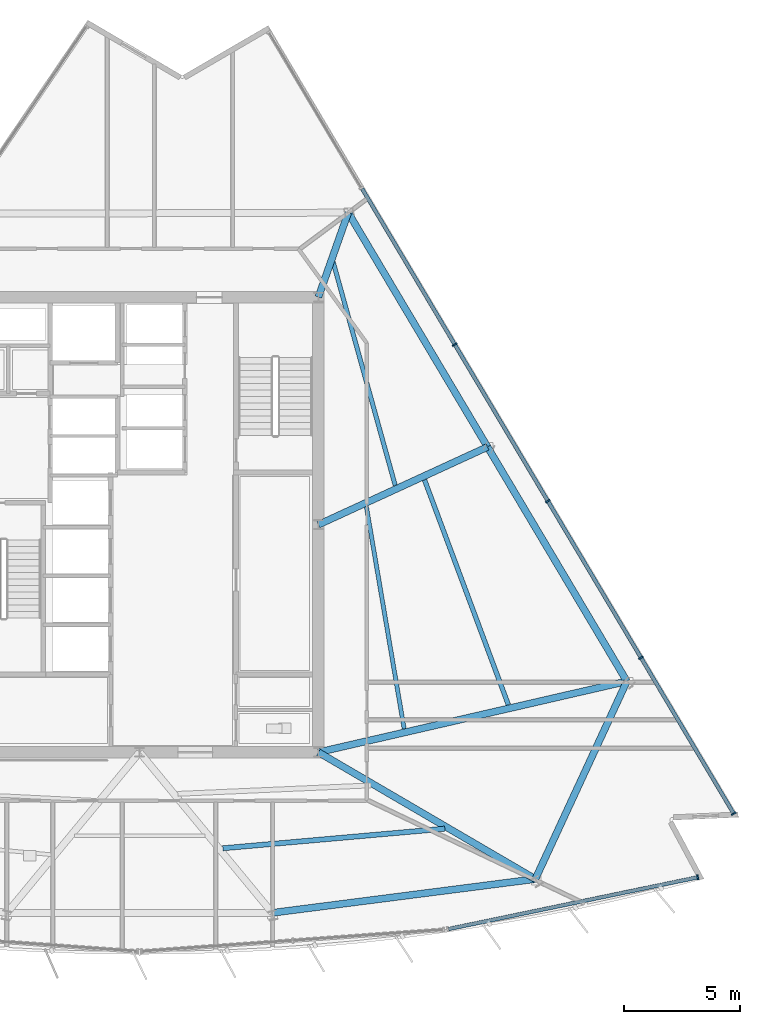
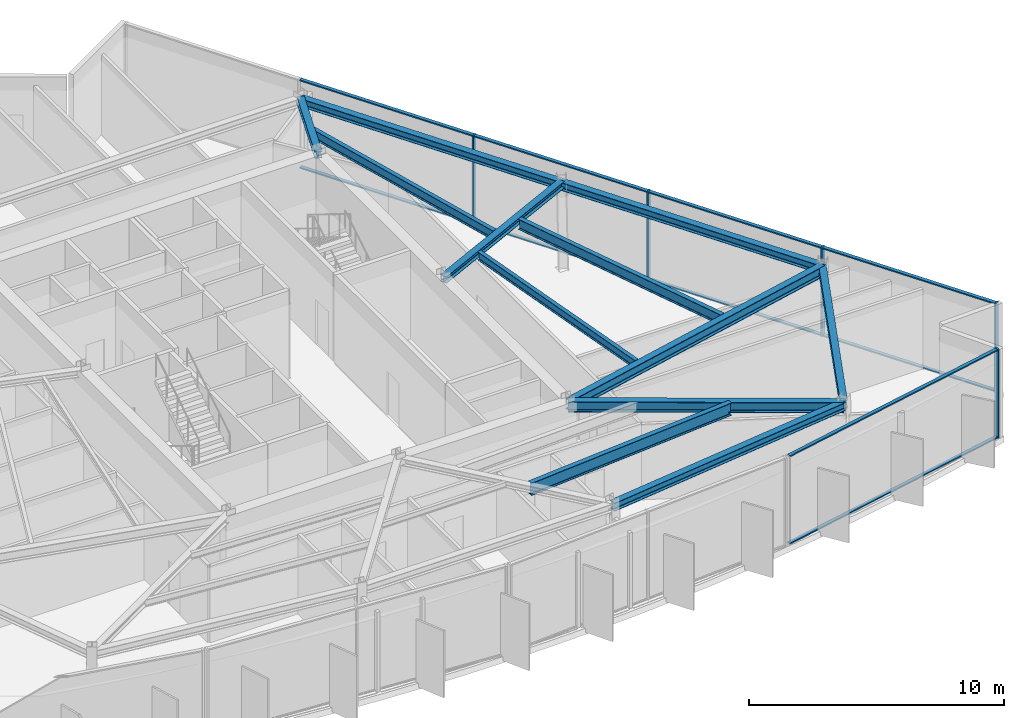
# One storey, part 4 of 13: 15 members, 12 beams, 2 elements without a shape of their own.
"""IFC4 building model written with IfcOpenShell, lengths in metres."""

from ifc_helpers import new_model, si_unit, direction, frame, origin, origin_2d, place, context, subcontext, project, spatial, rectangle, i_section, extrude, material, material_profile, profile_set, type_object, element, aggregate, save


model = new_model("IFC4")

# Units and contexts
model_context = context("Model", 3, precision=1e-05, world=origin(), true_north=direction((0.0, 1.0)))
body_context = subcontext(model_context, "Body", "Model", "MODEL_VIEW")
ifc_project = project(units=[si_unit("LENGTHUNIT", "METRE"), si_unit("AREAUNIT", "SQUARE_METRE"), si_unit("VOLUMEUNIT", "CUBIC_METRE"), si_unit("PLANEANGLEUNIT", "RADIAN"), si_unit("MASSUNIT", "GRAM", prefix="KILO")], contexts=[model_context])

# Site, building, storey
site_placement = place(None, origin())
site = spatial("IfcSite", under=ifc_project, at=site_placement, CompositionType="ELEMENT")
building_placement = place(site_placement, origin())
building = spatial("IfcBuilding", under=site, at=building_placement, Name="Savorim Split Tower", CompositionType="ELEMENT")
storey_placement = place(building_placement, frame((0.0, 0.0, 190.199951171875)))
storey = spatial("IfcBuildingStorey", under=building, at=storey_placement, Name="L50", CompositionType="ELEMENT", Elevation=190.199951171875)

# Beams
ifc_material_1 = material(Name="Steel S355", Category="steel")
ifc_material_profile_1 = material_profile(ifc_material_1, i_section(OverallWidth=0.179931640625, OverallDepth=0.39990234375, WebThickness=0.008544921875, FlangeThickness=0.013427734375, FilletRadius=0.02099609375, at=origin_2d()), Name="IPE 400")
ifc_profile_set_1 = profile_set([ifc_material_profile_1], Name="Steel S355")
beam_type_1 = type_object("IfcBeamType", Name="BM-JST-IPE400", PredefinedType="JOIST", material=ifc_profile_set_1)
beam_1_placement = place(storey_placement, frame((11.392578125, -8.385986328125, 4.050048828125), z_axis=(-0.167625573147, 0.985850732732, 0.0), x_axis=(-0.985850732732, -0.167625573147, 0.0)))
element("IfcBeam", 1, at=beam_1_placement, inside=storey, type_object=beam_type_1, Name="L50 Secondary Floor Joist JS-08", PredefinedType="JOIST", context=body_context, shape_type="SweptSolid", body=[
    extrude(i_section(OverallWidth=0.179931640625, OverallDepth=0.39990234375, WebThickness=0.008544921875, FlangeThickness=0.013427734375, FilletRadius=0.02099609375, at=origin_2d()), origin(), (0.0, 0.0, 1.0), 9.702880859375),
])
ifc_material_profile_2 = material_profile(ifc_material_1, i_section(OverallWidth=0.18994140625, OverallDepth=0.449951171875, WebThickness=0.009521484375, FlangeThickness=0.0146484375, FilletRadius=0.02099609375, at=origin_2d()), Name="IPE 450")
ifc_profile_set_2 = profile_set([ifc_material_profile_2], Name="Steel S355")
beam_type_2 = type_object("IfcBeamType", Name="BM-JST-IPE450", PredefinedType="JOIST", material=ifc_profile_set_2)
beam_2_placement = place(storey_placement, frame((11.0078125, 2.094482421875, 4.025146484375), z_axis=(-0.267709408431, 0.963499700383, 0.0), x_axis=(-0.963499700383, -0.267709408431, 0.0)))
element("IfcBeam", 2, at=beam_2_placement, inside=storey, type_object=beam_type_2, Name="L50 Secondary Floor Joist JS-07", PredefinedType="JOIST", context=body_context, shape_type="SweptSolid", body=[
    extrude(i_section(OverallWidth=0.18994140625, OverallDepth=0.449951171875, WebThickness=0.009521484375, FlangeThickness=0.0146484375, FilletRadius=0.02099609375, at=origin_2d()), origin(), (0.0, 0.0, 1.0), 9.98974609375),
])
ifc_material_profile_3 = material_profile(ifc_material_1, i_section(OverallWidth=0.199951171875, OverallDepth=0.5, WebThickness=0.01025390625, FlangeThickness=0.01611328125, FilletRadius=0.02099609375, at=origin_2d()), Name="IPE 500")
ifc_profile_set_3 = profile_set([ifc_material_profile_3], Name="Steel S355")
beam_type_3 = type_object("IfcBeamType", Name="BM-JST-IPE500", PredefinedType="JOIST", material=ifc_profile_set_3)
beam_3_placement = place(storey_placement, frame((15.8798828125, -7.35400390625, 4.0), z_axis=(-0.349270969705, 0.937021765874, 0.0), x_axis=(-0.937021765874, -0.349270969705, 0.0)))
element("IfcBeam", 3, at=beam_3_placement, inside=storey, type_object=beam_type_3, Name="L50 Secondary Floor Joist JS-06", PredefinedType="JOIST", context=body_context, shape_type="SweptSolid", body=[
    extrude(i_section(OverallWidth=0.199951171875, OverallDepth=0.5, WebThickness=0.01025390625, FlangeThickness=0.01611328125, FilletRadius=0.02099609375, at=origin_2d()), origin(), (0.0, 0.0, 1.0), 10.33056640625),
])
ifc_material_profile_4 = material_profile(ifc_material_1, i_section(OverallWidth=0.219970703125, OverallDepth=0.60009765625, WebThickness=0.011962890625, FlangeThickness=0.01904296875, FilletRadius=0.02392578125, at=origin_2d()), Name="IPE 600")
ifc_profile_set_4 = profile_set([ifc_material_profile_4], Name="Steel S355")
beam_type_4 = type_object("IfcBeamType", Name="BM-JST-IPE600", PredefinedType="JOIST", material=ifc_profile_set_4)
beam_4_placement = place(storey_placement, frame((3.58642578125, -13.534912109375, 3.949951171875), z_axis=(0.996118574108, 0.088021510533, 0.0), x_axis=(-0.088021510533, 0.996118574108, 0.0)))
element("IfcBeam", 4, at=beam_4_placement, inside=storey, type_object=beam_type_4, Name="L50 Secondary Floor Joist JS-04", PredefinedType="JOIST", context=body_context, shape_type="SweptSolid", body=[
    extrude(i_section(OverallWidth=0.219970703125, OverallDepth=0.60009765625, WebThickness=0.011962890625, FlangeThickness=0.01904296875, FilletRadius=0.02392578125, at=origin_2d()), origin(), (0.0, 0.0, 1.0), 9.596923828125),
])
ifc_material_profile_5 = material_profile(ifc_material_1, i_section(OverallWidth=0.300048828125, OverallDepth=0.320068359375, WebThickness=0.011474609375, FlangeThickness=0.0205078125, FilletRadius=0.027099609375, at=origin_2d()), Name="HEB 320")
ifc_profile_set_5 = profile_set([ifc_material_profile_5], Name="Steel S355")
beam_type_5 = type_object("IfcBeamType", Name="BM-PRI-HEB320", PredefinedType="BEAM", material=ifc_profile_set_5)
beam_5_placement = place(storey_placement, frame((14.983642578125, 3.748291015625, 4.090087890625), z_axis=(-0.908590327513, -0.417688420656, 0.0), x_axis=(0.417688420656, -0.908590327513, 0.0)))
element("IfcBeam", 5, at=beam_5_placement, inside=storey, type_object=beam_type_5, Name="L50 Primary Floor Girder RG-06", PredefinedType="BEAM", context=body_context, shape_type="SweptSolid", body=[
    extrude(i_section(OverallWidth=0.300048828125, OverallDepth=0.320068359375, WebThickness=0.011474609375, FlangeThickness=0.0205078125, FilletRadius=0.027099609375, at=origin_2d()), origin(), (0.0, 0.0, 1.0), 8.016357421875),
])
beam_6_placement = place(storey_placement, frame((8.98388671875, 13.83837890625, 4.090087890625), z_axis=(-0.332770469655, -0.943007854965, 0.0), x_axis=(0.943007854965, -0.332770469655, 0.0)))
element("IfcBeam", 6, at=beam_6_placement, inside=storey, type_object=beam_type_5, Name="L50 Primary Floor Girder RG-07", PredefinedType="BEAM", context=body_context, shape_type="SweptSolid", body=[
    extrude(i_section(OverallWidth=0.300048828125, OverallDepth=0.320068359375, WebThickness=0.011474609375, FlangeThickness=0.0205078125, FilletRadius=0.027099609375, at=origin_2d()), origin(), (0.0, 0.0, 1.0), 3.8583984375),
])
ifc_material_profile_6 = material_profile(ifc_material_1, i_section(OverallWidth=0.300048828125, OverallDepth=0.5, WebThickness=0.014404296875, FlangeThickness=0.028076171875, FilletRadius=0.027099609375, at=origin_2d()), Name="HEB 500")
ifc_profile_set_6 = profile_set([ifc_material_profile_6], Name="Steel S355")
beam_type_6 = type_object("IfcBeamType", Name="BM-PRI-HEB500", PredefinedType="BEAM", material=ifc_profile_set_6)
beam_7_placement = place(storey_placement, frame((17.042236328125, -14.8603515625, 4.0), z_axis=(-0.863344882496, 0.504614321902, 0.0), x_axis=(-0.504614321902, -0.863344882496, 0.0)))
element("IfcBeam", 7, at=beam_7_placement, inside=storey, type_object=beam_type_6, Name="L50 Primary Floor Girder RG-04", PredefinedType="BEAM", context=body_context, shape_type="SweptSolid", body=[
    extrude(i_section(OverallWidth=0.300048828125, OverallDepth=0.5, WebThickness=0.014404296875, FlangeThickness=0.028076171875, FilletRadius=0.027099609375, at=origin_2d()), origin(), (0.0, 0.0, 1.0), 10.821044921875),
])
beam_8_placement = place(storey_placement, frame((20.983642578125, -6.342041015625, 4.0), z_axis=(-0.97451330631, -0.224329703392, 0.0), x_axis=(0.224329703392, -0.97451330631, 0.0)))
element("IfcBeam", 8, at=beam_8_placement, inside=storey, type_object=beam_type_6, Name="L50 Primary Floor Girder RG-05", PredefinedType="BEAM", context=body_context, shape_type="SweptSolid", body=[
    extrude(i_section(OverallWidth=0.300048828125, OverallDepth=0.5, WebThickness=0.014404296875, FlangeThickness=0.028076171875, FilletRadius=0.027099609375, at=origin_2d()), origin(), (0.0, 0.0, 1.0), 13.631103515625),
])
ifc_material_profile_7 = material_profile(ifc_material_1, i_section(OverallWidth=0.300048828125, OverallDepth=0.389892578125, WebThickness=0.010986328125, FlangeThickness=0.01904296875, FilletRadius=0.027099609375, at=origin_2d()), Name="HEA 400")
ifc_profile_set_7 = profile_set([ifc_material_profile_7], Name="Steel S355")
beam_type_7 = type_object("IfcBeamType", Name="BM-SPN-HEA400", PredefinedType="SPANDREL", material=ifc_profile_set_7)
beam_9_placement = place(storey_placement, frame((5.7119140625, -16.315185546875, 4.054931640625), z_axis=(0.991857039189, 0.127356247636, 0.0), x_axis=(-0.127356247636, 0.991857039189, 0.0)))
element("IfcBeam", 9, at=beam_9_placement, inside=storey, type_object=beam_type_7, Name="L50 Perimeter Spandrel Beam 3", PredefinedType="SPANDREL", context=body_context, shape_type="SweptSolid", body=[
    extrude(i_section(OverallWidth=0.300048828125, OverallDepth=0.389892578125, WebThickness=0.010986328125, FlangeThickness=0.01904296875, FilletRadius=0.027099609375, at=origin_2d()), origin(), (0.0, 0.0, 1.0), 11.42333984375),
])
beam_10_placement = place(storey_placement, frame((17.042236328125, -14.8603515625, 4.054931640625), z_axis=(0.419925619924, 0.907558523585, 0.0), x_axis=(-0.907558523585, 0.419925619924, 0.0)))
element("IfcBeam", 10, at=beam_10_placement, inside=storey, type_object=beam_type_7, Name="L50 Perimeter Spandrel Beam 4", PredefinedType="SPANDREL", context=body_context, shape_type="SweptSolid", body=[
    extrude(i_section(OverallWidth=0.300048828125, OverallDepth=0.389892578125, WebThickness=0.010986328125, FlangeThickness=0.01904296875, FilletRadius=0.027099609375, at=origin_2d()), origin(), (0.0, 0.0, 1.0), 9.385986328125),
])
beam_11_placement = place(storey_placement, frame((20.983642578125, -6.342041015625, 4.054931640625), z_axis=(-0.511096986153, 0.859523048409, 0.0), x_axis=(-0.859523048409, -0.511096986153, 0.0)))
element("IfcBeam", 11, at=beam_11_placement, inside=storey, type_object=beam_type_7, Name="L50 Perimeter Spandrel Beam 5", PredefinedType="SPANDREL", context=body_context, shape_type="SweptSolid", body=[
    extrude(i_section(OverallWidth=0.300048828125, OverallDepth=0.389892578125, WebThickness=0.010986328125, FlangeThickness=0.01904296875, FilletRadius=0.027099609375, at=origin_2d()), origin(), (0.0, 0.0, 1.0), 11.739501953125),
])
beam_12_placement = place(storey_placement, frame((14.983642578125, 3.748291015625, 4.054931640625), z_axis=(-0.511090757794, 0.859526751938, 0.0), x_axis=(-0.859526751938, -0.511090757794, 0.0)))
element("IfcBeam", 12, at=beam_12_placement, inside=storey, type_object=beam_type_7, Name="L50 Perimeter Spandrel Beam 6", PredefinedType="SPANDREL", context=body_context, shape_type="SweptSolid", body=[
    extrude(i_section(OverallWidth=0.300048828125, OverallDepth=0.389892578125, WebThickness=0.010986328125, FlangeThickness=0.01904296875, FilletRadius=0.027099609375, at=origin_2d()), origin(), (0.0, 0.0, 1.0), 11.739013671875),
])

# Curtain wall, member
ifc_material_2 = material(Name="Dark Ceramic-Fritted Insulated Glass", Category="glass")
curtain_wall_type = type_object("IfcCurtainWallType", Name="CW-SKY-ATRIUM", PredefinedType="NOTDEFINED", material=ifc_material_2)
curtain_wall_1_placement = place(storey_placement, origin())
curtain_wall_1 = element("IfcCurtainWall", 13, at=curtain_wall_1_placement, inside=storey, type_object=curtain_wall_type, Name="L50 Curtain Wall CW-L50-SF4", PredefinedType="NOTDEFINED")
ifc_material_3 = material(Name="Charcoal Anodised Aluminium", Category="aluminium")
ifc_material_profile_8 = material_profile(ifc_material_3, rectangle(XDim=0.219970703125, YDim=0.070068359375, at=origin_2d()), Name="ALU-M 220x70")
ifc_profile_set_8 = profile_set([ifc_material_profile_8], Name="Charcoal Anodised Aluminium")
member_type_1 = type_object("IfcMemberType", Name="CWM-220x70", PredefinedType="MULLION", material=ifc_profile_set_8)
member_1_placement = place(storey_placement, frame((24.036376953125, -14.783935546875, 0.0), z_axis=(0.0, 0.0, 1.0), x_axis=(-0.203207957161, 0.979135601511, 0.0)))
member_1 = element("IfcMember", 14, at=member_1_placement, type_object=member_type_1, Name="CW-05 mullion 2", PredefinedType="MULLION", context=body_context, shape_type="SweptSolid", body=[
    extrude(rectangle(XDim=0.219970703125, YDim=0.070068359375, at=origin_2d()), origin(), (0.0, 0.0, 1.0), 4.25),
])

# Curtain wall, members
curtain_wall_2_placement = place(storey_placement, origin())
curtain_wall_2 = element("IfcCurtainWall", 15, at=curtain_wall_2_placement, inside=storey, type_object=curtain_wall_type, Name="L50 Curtain Wall CW-L50-EAST", PredefinedType="NOTDEFINED")
member_2_placement = place(storey_placement, frame((25.58349609375, -12.04296875, 0.0), z_axis=(0.0, 0.0, 1.0), x_axis=(-0.859525931116, -0.511092138209, 0.0)))
member_2 = element("IfcMember", 16, at=member_2_placement, type_object=member_type_1, Name="CW-05 mullion 1", PredefinedType="MULLION", context=body_context, shape_type="SweptSolid", body=[
    extrude(rectangle(XDim=0.219970703125, YDim=0.070068359375, at=origin_2d()), origin(), (0.0, 0.0, 1.0), 4.25),
])
member_3_placement = place(storey_placement, frame((21.59130859375, -5.3291015625, 0.0), z_axis=(0.0, 0.0, 1.0), x_axis=(-0.859525931116, -0.511092138209, 0.0)))
member_3 = element("IfcMember", 17, at=member_3_placement, type_object=member_type_1, Name="CW-05 mullion 2", PredefinedType="MULLION", context=body_context, shape_type="SweptSolid", body=[
    extrude(rectangle(XDim=0.219970703125, YDim=0.070068359375, at=origin_2d()), origin(), (0.0, 0.0, 1.0), 4.25),
])
member_4_placement = place(storey_placement, frame((17.581298828125, 1.414794921875, 0.0), z_axis=(0.0, 0.0, 1.0), x_axis=(-0.859525931116, -0.511092138209, 0.0)))
member_4 = element("IfcMember", 18, at=member_4_placement, type_object=member_type_1, Name="CW-05 mullion 3", PredefinedType="MULLION", context=body_context, shape_type="SweptSolid", body=[
    extrude(rectangle(XDim=0.219970703125, YDim=0.070068359375, at=origin_2d()), origin(), (0.0, 0.0, 1.0), 4.25),
])
member_5_placement = place(storey_placement, frame((13.571044921875, 8.15869140625, 0.0), z_axis=(0.0, 0.0, 1.0), x_axis=(-0.859525931116, -0.511092138209, 0.0)))
member_5 = element("IfcMember", 19, at=member_5_placement, type_object=member_type_1, Name="CW-05 mullion 4", PredefinedType="MULLION", context=body_context, shape_type="SweptSolid", body=[
    extrude(rectangle(XDim=0.219970703125, YDim=0.070068359375, at=origin_2d()), origin(), (0.0, 0.0, 1.0), 4.25),
])

# Member
ifc_material_profile_9 = material_profile(ifc_material_3, rectangle(XDim=0.159912109375, YDim=0.06005859375, at=origin_2d()), Name="ALU-T 160x60")
ifc_profile_set_9 = profile_set([ifc_material_profile_9], Name="Charcoal Anodised Aluminium")
member_type_2 = type_object("IfcMemberType", Name="CWT-160x60", PredefinedType="USERDEFINED", material=ifc_profile_set_9)
member_6_placement = place(storey_placement, frame((13.303466796875, -17.011474609375, 0.030029296875), z_axis=(0.979133501925, 0.203218073527, 0.0), x_axis=(-0.203218073527, 0.979133501925, 0.0)))
member_6 = element("IfcMember", 20, at=member_6_placement, type_object=member_type_2, Name="CW-05 transom 1.1", ObjectType="TRANSOM", PredefinedType="USERDEFINED", context=body_context, shape_type="SweptSolid", body=[
    extrude(rectangle(XDim=0.159912109375, YDim=0.06005859375, at=origin_2d()), origin(), (0.0, 0.0, 1.0), 10.926513671875),
])

member_7_placement = place(storey_placement, frame((13.303466796875, -17.011474609375, 4.219970703125), z_axis=(0.979133501925, 0.203218073527, 0.0), x_axis=(-0.203218073527, 0.979133501925, 0.0)))
member_7 = element("IfcMember", 21, at=member_7_placement, type_object=member_type_2, Name="CW-05 transom 1.2", ObjectType="TRANSOM", PredefinedType="USERDEFINED", context=body_context, shape_type="SweptSolid", body=[
    extrude(rectangle(XDim=0.159912109375, YDim=0.06005859375, at=origin_2d()), origin(), (0.0, 0.0, 1.0), 10.926513671875),
])

aggregate(curtain_wall_1, [member_1, member_6, member_7])

member_8_placement = place(storey_placement, frame((25.565673828125, -12.012939453125, 0.030029296875), z_axis=(-0.511096803502, 0.859523157018, 0.0), x_axis=(-0.859523157018, -0.511096803502, 0.0)))
member_8 = element("IfcMember", 22, at=member_8_placement, type_object=member_type_2, Name="CW-05 transom 1.1", ObjectType="TRANSOM", PredefinedType="USERDEFINED", context=body_context, shape_type="SweptSolid", body=[
    extrude(rectangle(XDim=0.159912109375, YDim=0.06005859375, at=origin_2d()), origin(), (0.0, 0.0, 1.0), 7.7412109375),
])

member_9_placement = place(storey_placement, frame((25.565673828125, -12.012939453125, 4.219970703125), z_axis=(-0.511096803502, 0.859523157018, 0.0), x_axis=(-0.859523157018, -0.511096803502, 0.0)))
member_9 = element("IfcMember", 23, at=member_9_placement, type_object=member_type_2, Name="CW-05 transom 1.2", ObjectType="TRANSOM", PredefinedType="USERDEFINED", context=body_context, shape_type="SweptSolid", body=[
    extrude(rectangle(XDim=0.159912109375, YDim=0.06005859375, at=origin_2d()), origin(), (0.0, 0.0, 1.0), 7.7412109375),
])

member_10_placement = place(storey_placement, frame((21.573486328125, -5.299072265625, 0.030029296875), z_axis=(-0.511093572893, 0.859525078021, 0.0), x_axis=(-0.859525078021, -0.511093572893, 0.0)))
member_10 = element("IfcMember", 24, at=member_10_placement, type_object=member_type_2, Name="CW-05 transom 2.1", ObjectType="TRANSOM", PredefinedType="USERDEFINED", context=body_context, shape_type="SweptSolid", body=[
    extrude(rectangle(XDim=0.159912109375, YDim=0.06005859375, at=origin_2d()), origin(), (0.0, 0.0, 1.0), 7.776123046875),
])

member_11_placement = place(storey_placement, frame((21.573486328125, -5.299072265625, 4.219970703125), z_axis=(-0.511093572893, 0.859525078021, 0.0), x_axis=(-0.859525078021, -0.511093572893, 0.0)))
member_11 = element("IfcMember", 25, at=member_11_placement, type_object=member_type_2, Name="CW-05 transom 2.2", ObjectType="TRANSOM", PredefinedType="USERDEFINED", context=body_context, shape_type="SweptSolid", body=[
    extrude(rectangle(XDim=0.159912109375, YDim=0.06005859375, at=origin_2d()), origin(), (0.0, 0.0, 1.0), 7.776123046875),
])

member_12_placement = place(storey_placement, frame((17.563232421875, 1.44482421875, 0.030029296875), z_axis=(-0.511093572893, 0.859525078021, 0.0), x_axis=(-0.859525078021, -0.511093572893, 0.0)))
member_12 = element("IfcMember", 26, at=member_12_placement, type_object=member_type_2, Name="CW-05 transom 3.1", ObjectType="TRANSOM", PredefinedType="USERDEFINED", context=body_context, shape_type="SweptSolid", body=[
    extrude(rectangle(XDim=0.159912109375, YDim=0.06005859375, at=origin_2d()), origin(), (0.0, 0.0, 1.0), 7.776123046875),
])

member_13_placement = place(storey_placement, frame((17.563232421875, 1.44482421875, 4.219970703125), z_axis=(-0.511093572893, 0.859525078021, 0.0), x_axis=(-0.859525078021, -0.511093572893, 0.0)))
member_13 = element("IfcMember", 27, at=member_13_placement, type_object=member_type_2, Name="CW-05 transom 3.2", ObjectType="TRANSOM", PredefinedType="USERDEFINED", context=body_context, shape_type="SweptSolid", body=[
    extrude(rectangle(XDim=0.159912109375, YDim=0.06005859375, at=origin_2d()), origin(), (0.0, 0.0, 1.0), 7.776123046875),
])

member_14_placement = place(storey_placement, frame((13.55322265625, 8.18896484375, 0.030029296875), z_axis=(-0.51110736534, 0.859516876562, 0.0), x_axis=(-0.859516876562, -0.51110736534, 0.0)))
member_14 = element("IfcMember", 28, at=member_14_placement, type_object=member_type_2, Name="CW-05 transom 4.1", ObjectType="TRANSOM", PredefinedType="USERDEFINED", context=body_context, shape_type="SweptSolid", body=[
    extrude(rectangle(XDim=0.159912109375, YDim=0.06005859375, at=origin_2d()), origin(), (0.0, 0.0, 1.0), 7.77587890625),
])

member_15_placement = place(storey_placement, frame((13.55322265625, 8.18896484375, 4.219970703125), z_axis=(-0.51110736534, 0.859516876562, 0.0), x_axis=(-0.859516876562, -0.51110736534, 0.0)))
member_15 = element("IfcMember", 29, at=member_15_placement, type_object=member_type_2, Name="CW-05 transom 4.2", ObjectType="TRANSOM", PredefinedType="USERDEFINED", context=body_context, shape_type="SweptSolid", body=[
    extrude(rectangle(XDim=0.159912109375, YDim=0.06005859375, at=origin_2d()), origin(), (0.0, 0.0, 1.0), 7.77587890625),
])

aggregate(curtain_wall_2, [member_2, member_3, member_4, member_5, member_8, member_9, member_10, member_11, member_12, member_13, member_14, member_15])

save(model, "model.ifc")
